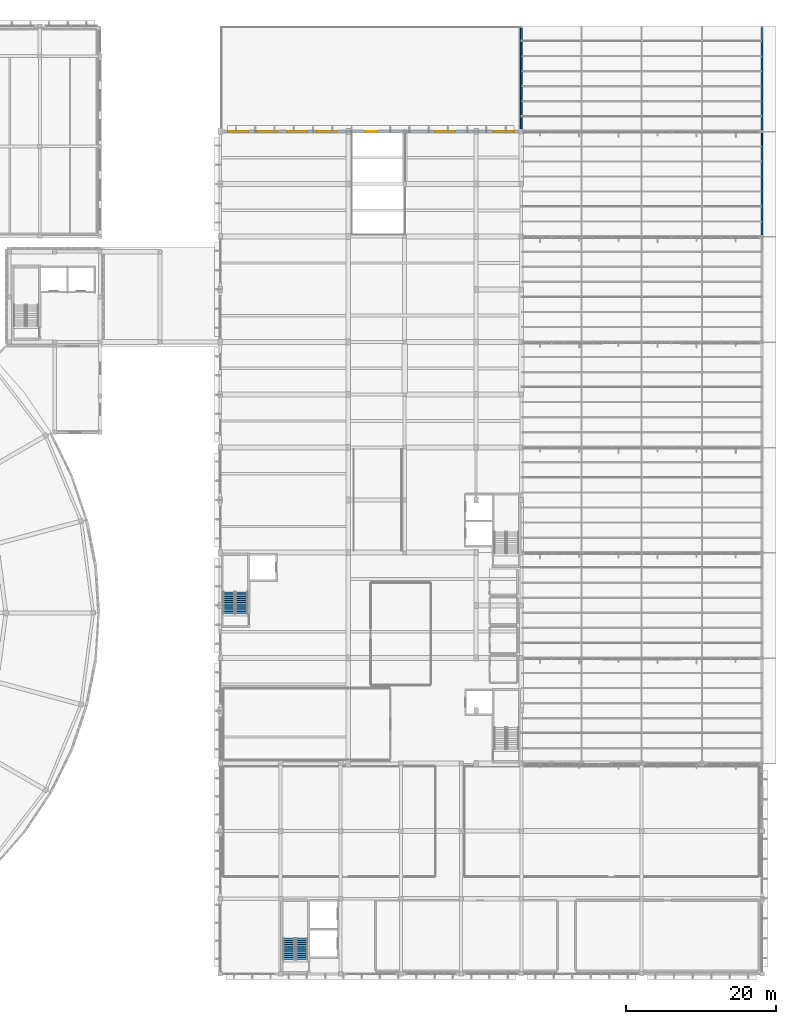
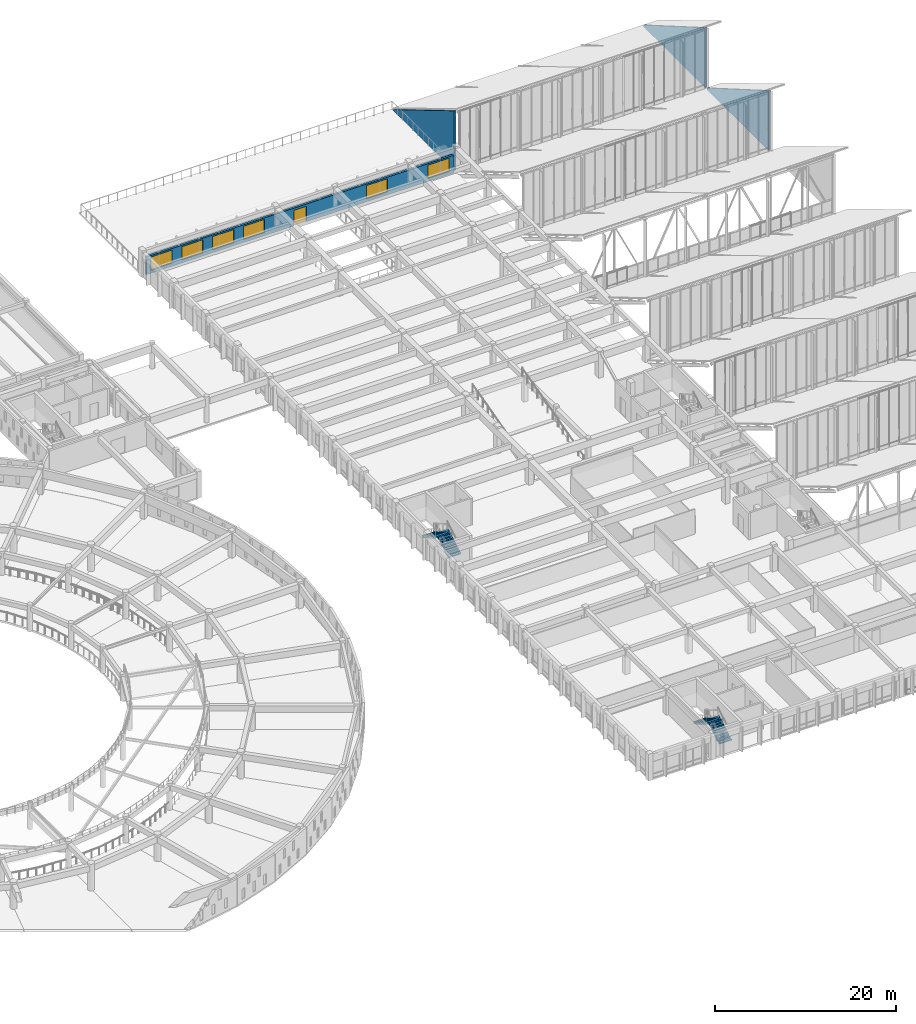
# One storey, part 125 of 155: 6 windows, 4 stair flights, 4 walls, 1 door, 7 openings, 2 elements without a shape of their own.
"""IFC4 building model written with IfcOpenShell, lengths in metres."""

from ifc_helpers import new_model, si_unit, direction, frame, frame_2d, origin, place, context, subcontext, project, spatial, polyline, rectangle, outline, extrude, material, layer, layer_set, type_object, element, fill, aggregate, save


model = new_model("IFC4")

# Units and contexts
model_context = context("Model", 3, precision=1e-05, world=origin(), true_north=direction((0.0, 1.0)))
body_context = subcontext(model_context, "Body", "Model", "MODEL_VIEW")
ifc_project = project(units=[si_unit("LENGTHUNIT", "METRE"), si_unit("AREAUNIT", "SQUARE_METRE"), si_unit("VOLUMEUNIT", "CUBIC_METRE"), si_unit("PLANEANGLEUNIT", "RADIAN"), si_unit("MASSUNIT", "GRAM", prefix="KILO")], contexts=[model_context])

# Site, building, storey
site_placement = place(None, origin())
site = spatial("IfcSite", under=ifc_project, at=site_placement, CompositionType="ELEMENT")
building_placement = place(site_placement, origin())
building = spatial("IfcBuilding", under=site, at=building_placement, Name="Larkveld Mobility Hub", CompositionType="ELEMENT")
storey_placement = place(building_placement, frame((0.0, 0.0, 8.39990234375)))
storey = spatial("IfcBuildingStorey", under=building, at=storey_placement, Name="L02", CompositionType="ELEMENT", Elevation=8.39990234375)

# Walls
ifc_material_1 = material(Name="Precast concrete C50/60", Category="concrete")
ifc_layer_1 = layer(ifc_material_1, 0.239990234375, Name="Precast concrete C50/60", Category="concrete")
ifc_layer_set_1 = layer_set([ifc_layer_1], Name="Precast concrete C50/60")
wall_type_1 = type_object("IfcWallType", Name="WL-EXT-240", PredefinedType="SOLIDWALL", material=ifc_layer_set_1)
for number, where, z_axis, x_axis, name in (
    (1, (184.0, 98.219970703125, 0.0), (0.0, 0.0, 1.0), (0.0, 1.0, 0.0), "Sawtooth East Gable Cheek Wall B6"),
    (2, (184.0, 112.219970703125, 0.0), (0.0, 0.0, 1.0), (0.0, 1.0, 0.0), "Sawtooth East Gable Cheek Wall B7"),
):
    element("IfcWall", number, at=place(storey_placement, frame(where, z_axis=z_axis, x_axis=x_axis)), inside=storey, type_object=wall_type_1, Name=name, PredefinedType="SOLIDWALL", context=body_context, shape_type="SweptSolid", body=[
        extrude(outline(polyline([(0.0, 0.0), (13.56005859375, 0.0), (13.56005859375, 0.22021484375), (0.0, 8.080078125), (0.0, 0.0)])), frame((0.0, 0.1201171875, 0.0), z_axis=(0.0, -1.0, 0.0), x_axis=(1.0, 0.0, 0.0)), (0.0, 0.0, 1.0), 0.239990234375),
    ])
wall_1_placement = place(storey_placement, frame((152.0, 112.219970703125, 0.0), z_axis=(0.0, 0.0, 1.0), x_axis=(0.0, 1.0, 0.0)))
element("IfcWall", 3, at=wall_1_placement, inside=storey, type_object=wall_type_1, Name="Sawtooth West Gable Cheek Wall B7", PredefinedType="SOLIDWALL", context=body_context, shape_type="SweptSolid", body=[
    extrude(outline(polyline([(0.0, 0.0), (13.467041015625, 0.0), (13.467041015625, 0.080078125), (0.0, 8.080078125), (0.0, 0.0)])), frame((0.0, 0.1201171875, 0.0), z_axis=(0.0, -1.0, 0.0), x_axis=(1.0, 0.0, 0.0)), (0.0, 0.0, 1.0), 0.239990234375),
])

# Wall, openings, door, windows
ifc_layer_2 = layer(ifc_material_1, 0.27001953125, Name="Precast concrete C50/60", Category="concrete")
ifc_layer_set_2 = layer_set([ifc_layer_2], Name="Precast concrete C50/60")
wall_type_2 = type_object("IfcWallType", Name="WL-EXT-270", PredefinedType="SOLIDWALL", material=ifc_layer_set_2)
wall_2_placement = place(storey_placement, frame((151.6650390625, 112.0, 0.0), z_axis=(0.0, 0.0, 1.0), x_axis=(-1.0, 0.0, 0.0)))
wall_2 = element("IfcWall", 4, at=wall_2_placement, inside=storey, type_object=wall_type_2, Name="Stepped North Terrace Wall L02-0233", PredefinedType="SOLIDWALL", context=body_context, shape_type="SweptSolid", body=[
    extrude(rectangle(XDim=39.255126953125, YDim=0.27001953125, at=frame_2d((19.62744140625, 0.0))), origin(), (0.0, 0.0, 1.0), 2.39501953125),
])
opening_1_placement = place(wall_2_placement, frame((18.826904296875, 0.0, 0.0)))
opening_1 = element("IfcOpeningElement", 5, at=opening_1_placement, cuts=wall_2, Name="Opening ED07", PredefinedType="OPENING", context=body_context, shape_type="SweptSolid", body=[
    extrude(rectangle(XDim=1.60009765625, YDim=2.10009765625, at=frame_2d((0.800048828125, 1.050048828125))), frame((0.0, 0.14501953125, 0.0), z_axis=(0.0, -1.0, 0.0), x_axis=(1.0, 0.0, 0.0)), (0.0, 0.0, 1.0), 0.2900390625),
])
opening_2_placement = place(wall_2_placement, frame((0.613037109375, 0.0, 0.39501953125)))
opening_2 = element("IfcOpeningElement", 6, at=opening_2_placement, cuts=wall_2, Name="Opening W15", PredefinedType="OPENING", context=body_context, shape_type="SweptSolid", body=[
    extrude(rectangle(XDim=2.699951171875, YDim=1.800048828125, at=frame_2d((1.35009765625, 0.89990234375))), frame((0.0, 0.14501953125, 0.0), z_axis=(0.0, -1.0, 0.0), x_axis=(1.0, 0.0, 0.0)), (0.0, 0.0, 1.0), 0.2900390625),
])
opening_3_placement = place(wall_2_placement, frame((8.464111328125, 0.0, 0.39501953125)))
opening_3 = element("IfcOpeningElement", 7, at=opening_3_placement, cuts=wall_2, Name="Opening W15", PredefinedType="OPENING", context=body_context, shape_type="SweptSolid", body=[
    extrude(rectangle(XDim=2.699951171875, YDim=1.800048828125, at=frame_2d((1.35009765625, 0.89990234375))), frame((0.0, 0.14501953125, 0.0), z_axis=(0.0, -1.0, 0.0), x_axis=(1.0, 0.0, 0.0)), (0.0, 0.0, 1.0), 0.2900390625),
])
opening_4_placement = place(wall_2_placement, frame((24.166015625, 0.0, 0.39501953125)))
opening_4 = element("IfcOpeningElement", 8, at=opening_4_placement, cuts=wall_2, Name="Opening W15", PredefinedType="OPENING", context=body_context, shape_type="SweptSolid", body=[
    extrude(rectangle(XDim=2.699951171875, YDim=1.800048828125, at=frame_2d((1.35009765625, 0.89990234375))), frame((0.0, 0.14501953125, 0.0), z_axis=(0.0, -1.0, 0.0), x_axis=(1.0, 0.0, 0.0)), (0.0, 0.0, 1.0), 0.2900390625),
])
opening_5_placement = place(wall_2_placement, frame((28.091064453125, 0.0, 0.39501953125)))
opening_5 = element("IfcOpeningElement", 9, at=opening_5_placement, cuts=wall_2, Name="Opening W15", PredefinedType="OPENING", context=body_context, shape_type="SweptSolid", body=[
    extrude(rectangle(XDim=2.699951171875, YDim=1.800048828125, at=frame_2d((1.35009765625, 0.89990234375))), frame((0.0, 0.14501953125, 0.0), z_axis=(0.0, -1.0, 0.0), x_axis=(1.0, 0.0, 0.0)), (0.0, 0.0, 1.0), 0.2900390625),
])
opening_6_placement = place(wall_2_placement, frame((32.01708984375, 0.0, 0.39501953125)))
opening_6 = element("IfcOpeningElement", 10, at=opening_6_placement, cuts=wall_2, Name="Opening W15", PredefinedType="OPENING", context=body_context, shape_type="SweptSolid", body=[
    extrude(rectangle(XDim=2.699951171875, YDim=1.800048828125, at=frame_2d((1.35009765625, 0.89990234375))), frame((0.0, 0.14501953125, 0.0), z_axis=(0.0, -1.0, 0.0), x_axis=(1.0, 0.0, 0.0)), (0.0, 0.0, 1.0), 0.2900390625),
])
opening_7_placement = place(wall_2_placement, frame((35.94189453125, 0.0, 0.39501953125)))
opening_7 = element("IfcOpeningElement", 11, at=opening_7_placement, cuts=wall_2, Name="Opening W15", PredefinedType="OPENING", context=body_context, shape_type="SweptSolid", body=[
    extrude(rectangle(XDim=2.699951171875, YDim=1.800048828125, at=frame_2d((1.35009765625, 0.89990234375))), frame((0.0, 0.14501953125, 0.0), z_axis=(0.0, -1.0, 0.0), x_axis=(1.0, 0.0, 0.0)), (0.0, 0.0, 1.0), 0.2900390625),
])
ifc_material_2 = material(Name="Anodised aluminium glazed terrace door", Category="aluminium")
door_type = type_object("IfcDoorType", Name="DR-EXT-TER16", OperationType="DOUBLE_DOOR_SINGLE_SWING", PredefinedType="DOOR", material=ifc_material_2)
door_placement = place(opening_1_placement, origin())
door = element("IfcDoor", 12, at=door_placement, inside=storey, type_object=door_type, Name="North Stepped Terrace Door L02 EDR-L02-025", OperationType="DOUBLE_DOOR_SINGLE_SWING", OverallHeight=2.10009765625, OverallWidth=1.60009765625, PredefinedType="DOOR", context=body_context, shape_type="SweptSolid", body=[
    extrude(rectangle(XDim=1.60009765625, YDim=2.10009765625, at=frame_2d((0.800048828125, 1.050048828125))), frame((0.0, 0.02490234375, 0.0), z_axis=(0.0, -1.0, 0.0), x_axis=(1.0, 0.0, 0.0)), (0.0, 0.0, 1.0), 0.050048828125),
])
fill(opening_1, door)
ifc_material_3 = material(Name="Low-E double glazing in aluminium frame", Category="aluminium")
window_type = type_object("IfcWindowType", Name="WN-ALU-15", PartitioningType="SINGLE_PANEL", PredefinedType="WINDOW", material=ifc_material_3)
window_1_placement = place(opening_2_placement, origin())
window_1 = element("IfcWindow", 13, at=window_1_placement, inside=storey, type_object=window_type, Name="Window W15 (1052)", OverallHeight=1.800048828125, OverallWidth=2.699951171875, PartitioningType="SINGLE_PANEL", PredefinedType="WINDOW", context=body_context, shape_type="SweptSolid", body=[
    extrude(rectangle(XDim=2.699951171875, YDim=1.800048828125, at=frame_2d((1.35009765625, 0.89990234375))), frame((0.0, 0.030029296875, 0.0), z_axis=(0.0, -1.0, 0.0), x_axis=(1.0, 0.0, 0.0)), (0.0, 0.0, 1.0), 0.06005859375),
])
fill(opening_2, window_1)
window_2_placement = place(opening_3_placement, origin())
window_2 = element("IfcWindow", 14, at=window_2_placement, inside=storey, type_object=window_type, Name="Window W15 (1053)", OverallHeight=1.800048828125, OverallWidth=2.699951171875, PartitioningType="SINGLE_PANEL", PredefinedType="WINDOW", context=body_context, shape_type="SweptSolid", body=[
    extrude(rectangle(XDim=2.699951171875, YDim=1.800048828125, at=frame_2d((1.35009765625, 0.89990234375))), frame((0.0, 0.030029296875, 0.0), z_axis=(0.0, -1.0, 0.0), x_axis=(1.0, 0.0, 0.0)), (0.0, 0.0, 1.0), 0.06005859375),
])
fill(opening_3, window_2)
window_3_placement = place(opening_4_placement, origin())
window_3 = element("IfcWindow", 15, at=window_3_placement, inside=storey, type_object=window_type, Name="Window W15 (1054)", OverallHeight=1.800048828125, OverallWidth=2.699951171875, PartitioningType="SINGLE_PANEL", PredefinedType="WINDOW", context=body_context, shape_type="SweptSolid", body=[
    extrude(rectangle(XDim=2.699951171875, YDim=1.800048828125, at=frame_2d((1.35009765625, 0.89990234375))), frame((0.0, 0.030029296875, 0.0), z_axis=(0.0, -1.0, 0.0), x_axis=(1.0, 0.0, 0.0)), (0.0, 0.0, 1.0), 0.06005859375),
])
fill(opening_4, window_3)
window_4_placement = place(opening_5_placement, origin())
window_4 = element("IfcWindow", 16, at=window_4_placement, inside=storey, type_object=window_type, Name="Window W15 (1055)", OverallHeight=1.800048828125, OverallWidth=2.699951171875, PartitioningType="SINGLE_PANEL", PredefinedType="WINDOW", context=body_context, shape_type="SweptSolid", body=[
    extrude(rectangle(XDim=2.699951171875, YDim=1.800048828125, at=frame_2d((1.35009765625, 0.89990234375))), frame((0.0, 0.030029296875, 0.0), z_axis=(0.0, -1.0, 0.0), x_axis=(1.0, 0.0, 0.0)), (0.0, 0.0, 1.0), 0.06005859375),
])
fill(opening_5, window_4)
window_5_placement = place(opening_6_placement, origin())
window_5 = element("IfcWindow", 17, at=window_5_placement, inside=storey, type_object=window_type, Name="Window W15 (1056)", OverallHeight=1.800048828125, OverallWidth=2.699951171875, PartitioningType="SINGLE_PANEL", PredefinedType="WINDOW", context=body_context, shape_type="SweptSolid", body=[
    extrude(rectangle(XDim=2.699951171875, YDim=1.800048828125, at=frame_2d((1.35009765625, 0.89990234375))), frame((0.0, 0.030029296875, 0.0), z_axis=(0.0, -1.0, 0.0), x_axis=(1.0, 0.0, 0.0)), (0.0, 0.0, 1.0), 0.06005859375),
])
fill(opening_6, window_5)
window_6_placement = place(opening_7_placement, origin())
window_6 = element("IfcWindow", 18, at=window_6_placement, inside=storey, type_object=window_type, Name="Window W15 (1057)", OverallHeight=1.800048828125, OverallWidth=2.699951171875, PartitioningType="SINGLE_PANEL", PredefinedType="WINDOW", context=body_context, shape_type="SweptSolid", body=[
    extrude(rectangle(XDim=2.699951171875, YDim=1.800048828125, at=frame_2d((1.35009765625, 0.89990234375))), frame((0.0, 0.030029296875, 0.0), z_axis=(0.0, -1.0, 0.0), x_axis=(1.0, 0.0, 0.0)), (0.0, 0.0, 1.0), 0.06005859375),
])
fill(opening_7, window_6)

# Stair, stair flights
ifc_material_4 = material(Name="Concrete C40/50", Category="concrete")
stair_type_1 = type_object("IfcStairType", Name="ST-HT-03", PredefinedType="HALF_TURN_STAIR", material=ifc_material_4)
stair_1_placement = place(storey_placement, origin())
stair_1 = element("IfcStair", 19, at=stair_1_placement, inside=storey, type_object=stair_type_1, Name="L02 Protected Escape Stair ST3", PredefinedType="HALF_TURN_STAIR")
stair_flight_type_1 = type_object("IfcStairFlightType", Name="SF-HT-03", PredefinedType="STRAIGHT", material=ifc_material_4)
stair_flight_1_placement = place(storey_placement, frame((114.85498046875, 47.919921875, 0.0), z_axis=(0.0, 0.0, 1.0), x_axis=(0.0, 1.0, 0.0)))
stair_flight_1 = element("IfcStairFlight", 20, at=stair_flight_1_placement, type_object=stair_flight_type_1, Name="ST3 flight 1", NumberOfRisers=11, NumberOfTreads=10, PredefinedType="STRAIGHT", RiserHeight=0.163636364, TreadLength=0.285, context=body_context, shape_type="SweptSolid", body=[
    extrude(outline(polyline([(0.0, 0.0), (0.0, 0.16357421875), (0.284912109375, 0.16357421875), (0.284912109375, 0.327392578125), (0.570068359375, 0.327392578125), (0.570068359375, 0.490966796875), (0.85498046875, 0.490966796875), (0.85498046875, 0.654541015625), (1.139892578125, 0.654541015625), (1.139892578125, 0.818115234375), (1.425048828125, 0.818115234375), (1.425048828125, 0.98193359375), (1.7099609375, 0.98193359375), (1.7099609375, 1.1455078125), (1.9951171875, 1.1455078125), (1.9951171875, 1.30908203125), (2.280029296875, 1.30908203125), (2.280029296875, 1.47265625), (2.56494140625, 1.47265625), (2.56494140625, 1.636474609375), (2.85009765625, 1.636474609375), (2.85009765625, 1.800048828125), (2.85009765625, 1.442626953125), (0.33740234375, 0.0), (0.0, 0.0)])), frame((0.0, 0.78515625, 0.0), z_axis=(0.0, -1.0, 0.0), x_axis=(1.0, 0.0, 0.0)), (0.0, 0.0, 1.0), 1.570068359375),
])
stair_flight_2_placement = place(storey_placement, frame((113.135009765625, 50.77001953125, 1.800048828125), z_axis=(0.0, 0.0, 1.0), x_axis=(0.0, -1.0, 0.0)))
stair_flight_2 = element("IfcStairFlight", 21, at=stair_flight_2_placement, type_object=stair_flight_type_1, Name="ST3 flight 2", NumberOfRisers=11, NumberOfTreads=10, PredefinedType="STRAIGHT", RiserHeight=0.163636364, TreadLength=0.285, context=body_context, shape_type="SweptSolid", body=[
    extrude(outline(polyline([(0.0, 0.0), (0.0, 0.16357421875), (0.284912109375, 0.16357421875), (0.284912109375, 0.327392578125), (0.570068359375, 0.327392578125), (0.570068359375, 0.490966796875), (0.85498046875, 0.490966796875), (0.85498046875, 0.654541015625), (1.139892578125, 0.654541015625), (1.139892578125, 0.818115234375), (1.425048828125, 0.818115234375), (1.425048828125, 0.98193359375), (1.7099609375, 0.98193359375), (1.7099609375, 1.1455078125), (1.9951171875, 1.1455078125), (1.9951171875, 1.30908203125), (2.280029296875, 1.30908203125), (2.280029296875, 1.47265625), (2.56494140625, 1.47265625), (2.56494140625, 1.636474609375), (2.85009765625, 1.636474609375), (2.85009765625, 1.800048828125), (2.85009765625, 1.442626953125), (0.33740234375, 0.0), (0.0, 0.0)])), frame((0.0, 0.78515625, 0.0), z_axis=(0.0, -1.0, 0.0), x_axis=(1.0, 0.0, 0.0)), (0.0, 0.0, 1.0), 1.570068359375),
])
aggregate(stair_1, [stair_flight_1, stair_flight_2])

stair_type_2 = type_object("IfcStairType", Name="ST-HT-04", PredefinedType="HALF_TURN_STAIR", material=ifc_material_4)
stair_2_placement = place(storey_placement, origin())
stair_2 = element("IfcStair", 22, at=stair_2_placement, inside=storey, type_object=stair_type_2, Name="L02 Protected Escape Stair ST4", PredefinedType="HALF_TURN_STAIR")
stair_flight_type_2 = type_object("IfcStairFlightType", Name="SF-HT-04", PredefinedType="STRAIGHT", material=ifc_material_4)
stair_flight_3_placement = place(storey_placement, frame((122.824951171875, 1.89990234375, 0.0), z_axis=(0.0, 0.0, 1.0), x_axis=(0.0, 1.0, 0.0)))
stair_flight_3 = element("IfcStairFlight", 23, at=stair_flight_3_placement, type_object=stair_flight_type_2, Name="ST4 flight 1", NumberOfRisers=11, NumberOfTreads=10, PredefinedType="STRAIGHT", RiserHeight=0.163636364, TreadLength=0.285, context=body_context, shape_type="SweptSolid", body=[
    extrude(outline(polyline([(0.0, 0.0), (0.0, 0.16357421875), (0.284912109375, 0.16357421875), (0.284912109375, 0.327392578125), (0.570068359375, 0.327392578125), (0.570068359375, 0.490966796875), (0.85498046875, 0.490966796875), (0.85498046875, 0.654541015625), (1.139892578125, 0.654541015625), (1.139892578125, 0.818115234375), (1.425048828125, 0.818115234375), (1.425048828125, 0.98193359375), (1.7099609375, 0.98193359375), (1.7099609375, 1.1455078125), (1.9951171875, 1.1455078125), (1.9951171875, 1.30908203125), (2.280029296875, 1.30908203125), (2.280029296875, 1.47265625), (2.56494140625, 1.47265625), (2.56494140625, 1.636474609375), (2.85009765625, 1.636474609375), (2.85009765625, 1.800048828125), (2.85009765625, 1.435546875), (0.349609375, 0.0), (0.0, 0.0)])), frame((0.0, 0.77490234375, 0.0), z_axis=(0.0, -1.0, 0.0), x_axis=(1.0, 0.0, 0.0)), (0.0, 0.0, 1.0), 1.550048828125),
])
stair_flight_4_placement = place(storey_placement, frame((121.125, 4.75, 1.800048828125), z_axis=(0.0, 0.0, 1.0), x_axis=(0.0, -1.0, 0.0)))
stair_flight_4 = element("IfcStairFlight", 24, at=stair_flight_4_placement, type_object=stair_flight_type_2, Name="ST4 flight 2", NumberOfRisers=11, NumberOfTreads=10, PredefinedType="STRAIGHT", RiserHeight=0.163636364, TreadLength=0.285, context=body_context, shape_type="SweptSolid", body=[
    extrude(outline(polyline([(0.0, 0.0), (0.0, 0.16357421875), (0.284912109375, 0.16357421875), (0.284912109375, 0.327392578125), (0.570068359375, 0.327392578125), (0.570068359375, 0.490966796875), (0.85498046875, 0.490966796875), (0.85498046875, 0.654541015625), (1.139892578125, 0.654541015625), (1.139892578125, 0.818115234375), (1.425048828125, 0.818115234375), (1.425048828125, 0.98193359375), (1.7099609375, 0.98193359375), (1.7099609375, 1.1455078125), (1.9951171875, 1.1455078125), (1.9951171875, 1.30908203125), (2.280029296875, 1.30908203125), (2.280029296875, 1.47265625), (2.56494140625, 1.47265625), (2.56494140625, 1.636474609375), (2.85009765625, 1.636474609375), (2.85009765625, 1.800048828125), (2.85009765625, 1.435546875), (0.349609375, 0.0), (0.0, 0.0)])), frame((0.0, 0.77490234375, 0.0), z_axis=(0.0, -1.0, 0.0), x_axis=(1.0, 0.0, 0.0)), (0.0, 0.0, 1.0), 1.550048828125),
])
aggregate(stair_2, [stair_flight_3, stair_flight_4])

save(model, "model.ifc")
